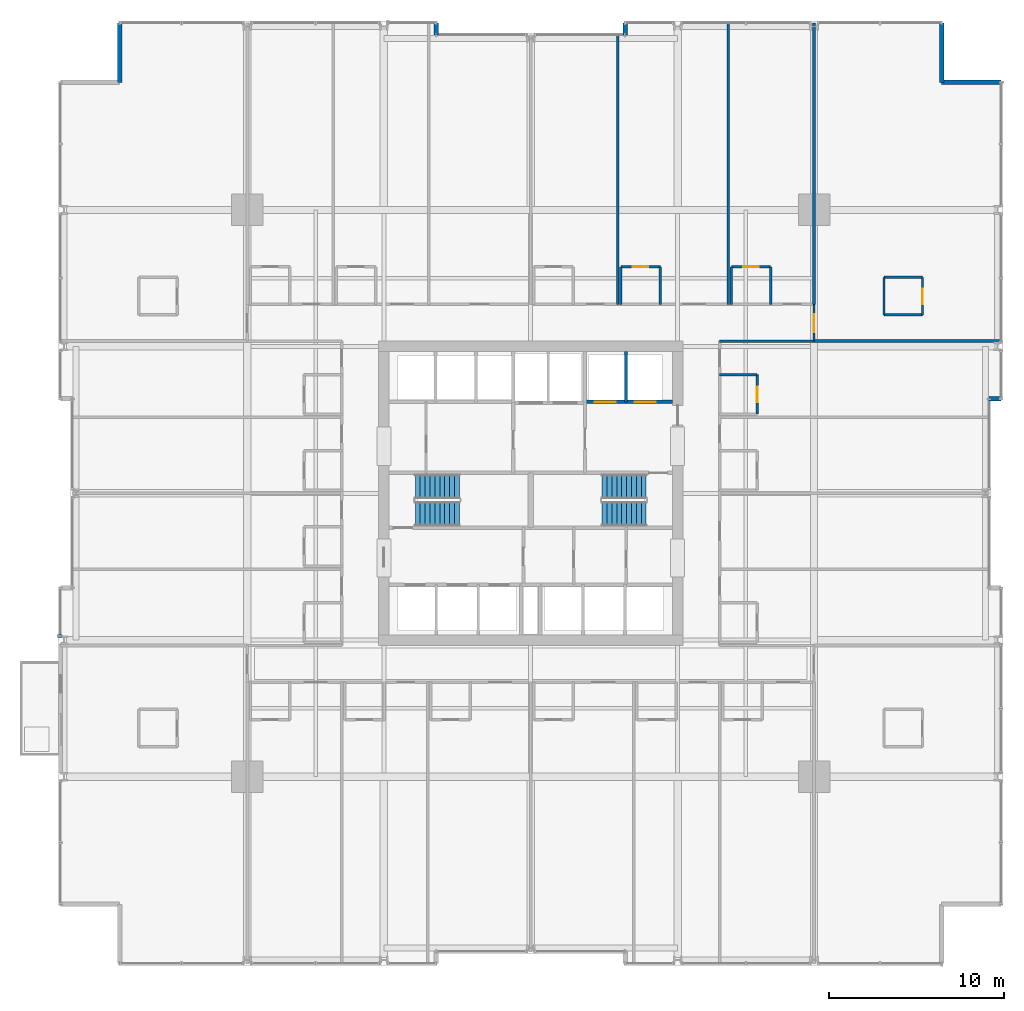
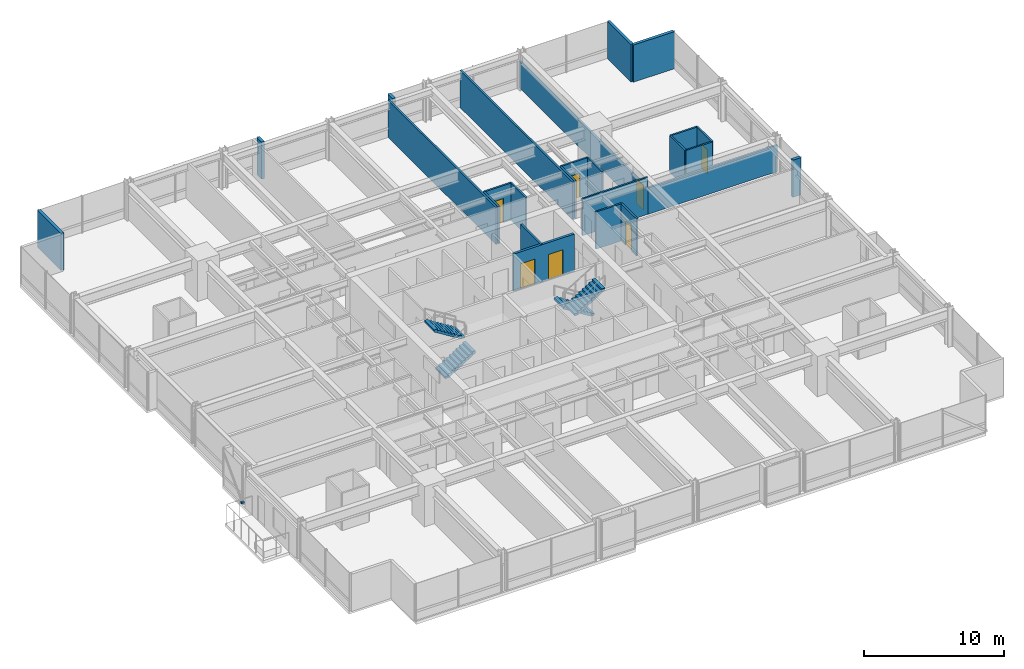
# One storey, part 34 of 39: 26 walls, 7 doors, 4 stair flights, 1 discrete accessory, 7 openings, 2 elements without a shape of their own.
"""IFC4 building model written with IfcOpenShell, lengths in metres."""

from ifc_helpers import new_model, si_unit, direction, frame, frame_2d, origin, origin_2d, place, context, subcontext, project, spatial, polyline, rectangle, outline, extrude, material, layer, layer_set, type_object, element, fill, aggregate, save


model = new_model("IFC4")

# Units and contexts
model_context = context("Model", 3, precision=1e-05, world=origin(), true_north=direction((0.0, 1.0)))
body_context = subcontext(model_context, "Body", "Model", "MODEL_VIEW")
ifc_project = project(units=[si_unit("LENGTHUNIT", "METRE"), si_unit("AREAUNIT", "SQUARE_METRE"), si_unit("VOLUMEUNIT", "CUBIC_METRE"), si_unit("PLANEANGLEUNIT", "RADIAN"), si_unit("MASSUNIT", "GRAM", prefix="KILO")], contexts=[model_context])

# Site, building, storey
site_placement = place(None, origin())
site = spatial("IfcSite", under=ifc_project, at=site_placement, CompositionType="ELEMENT")
building_placement = place(site_placement, origin())
building = spatial("IfcBuilding", under=site, at=building_placement, Name="Drelvath Grand Hotel", CompositionType="ELEMENT")
storey_placement = place(building_placement, frame((0.0, 0.0, 40.199951171875)))
storey = spatial("IfcBuildingStorey", under=building, at=storey_placement, Name="L08", CompositionType="ELEMENT", Elevation=40.199951171875)

# Wall, openings, doors
ifc_material_1 = material(Name="Concrete C40/50", Category="concrete")
ifc_layer_1 = layer(ifc_material_1, 0.199951171875)
ifc_layer_set_1 = layer_set([ifc_layer_1], Name="Concrete C40/50")
wall_type_1 = type_object("IfcWallType", Name="Core Hoistway Fire Wall 200", PredefinedType="SOLIDWALL", material=ifc_layer_set_1)
wall_1_placement = place(storey_placement, frame((3.10009765625, 32.219970703125, 0.0), z_axis=(0.0, 0.0, 1.0), x_axis=(1.0, 0.0, 0.0)))
wall_1 = element("IfcWall", 1, at=wall_1_placement, inside=storey, type_object=wall_type_1, Name="L08 FSAE Hoistway Front Wall", PredefinedType="SOLIDWALL", context=body_context, shape_type="SweptSolid", body=[
    extrude(rectangle(XDim=5.0, YDim=0.199951171875, at=frame_2d((2.5, 0.0))), origin(), (0.0, 0.0, 1.0), 3.239990234375),
])
opening_1_placement = place(wall_1_placement, frame((0.550048828125, 0.0, 0.0)))
opening_1 = element("IfcOpeningElement", 2, at=opening_1_placement, cuts=wall_1, Name="Opening LD-FSAE-1", PredefinedType="OPENING", context=body_context, shape_type="SweptSolid", body=[
    extrude(rectangle(XDim=1.199951171875, YDim=2.199951171875, at=frame_2d((0.60009765625, 1.10009765625))), frame((0.0, 0.10986328125, 0.0), z_axis=(0.0, -1.0, 0.0), x_axis=(1.0, 0.0, 0.0)), (0.0, 0.0, 1.0), 0.219970703125),
])
opening_2_placement = place(wall_1_placement, frame((2.85009765625, 0.0, 0.0)))
opening_2 = element("IfcOpeningElement", 3, at=opening_2_placement, cuts=wall_1, Name="Opening LD-FSAE-2", PredefinedType="OPENING", context=body_context, shape_type="SweptSolid", body=[
    extrude(rectangle(XDim=1.199951171875, YDim=2.199951171875, at=frame_2d((0.60009765625, 1.10009765625))), frame((0.0, 0.10986328125, 0.0), z_axis=(0.0, -1.0, 0.0), x_axis=(1.0, 0.0, 0.0)), (0.0, 0.0, 1.0), 0.219970703125),
])
ifc_material_2 = material(Name="Stainless Steel S355", Category="steel")
door_type_1 = type_object("IfcDoorType", Name="FSAE Lift Sliding Landing Door 1200x2200", OperationType="NOTDEFINED", PredefinedType="DOOR", material=ifc_material_2)
door_1_placement = place(opening_1_placement, origin())
door_1 = element("IfcDoor", 4, at=door_1_placement, inside=storey, type_object=door_type_1, Name="L08 Lift FSAE-1 Landing Door", OperationType="SLIDING_TO_LEFT", OverallHeight=2.199951171875, OverallWidth=1.199951171875, PredefinedType="DOOR", context=body_context, shape_type="SweptSolid", body=[
    extrude(rectangle(XDim=1.199951171875, YDim=2.199951171875, at=frame_2d((0.60009765625, 1.10009765625))), frame((0.0, 0.02490234375, 0.0), z_axis=(0.0, -1.0, 0.0), x_axis=(1.0, 0.0, 0.0)), (0.0, 0.0, 1.0), 0.050048828125),
])
fill(opening_1, door_1)
door_2_placement = place(opening_2_placement, origin())
door_2 = element("IfcDoor", 5, at=door_2_placement, inside=storey, type_object=door_type_1, Name="L08 Lift FSAE-2 Landing Door", OperationType="SLIDING_TO_LEFT", OverallHeight=2.199951171875, OverallWidth=1.199951171875, PredefinedType="DOOR", context=body_context, shape_type="SweptSolid", body=[
    extrude(rectangle(XDim=1.199951171875, YDim=2.199951171875, at=frame_2d((0.60009765625, 1.10009765625))), frame((0.0, 0.02490234375, 0.0), z_axis=(0.0, -1.0, 0.0), x_axis=(1.0, 0.0, 0.0)), (0.0, 0.0, 1.0), 0.050048828125),
])
fill(opening_2, door_2)

# Walls
ifc_material_3 = material(Name="Gypsum Fireboard Partition")
ifc_layer_2 = layer(ifc_material_3, 0.1650390625)
ifc_layer_set_2 = layer_set([ifc_layer_2], Name="Gypsum Fireboard Partition")
wall_type_2 = type_object("IfcWallType", Name="Core Shaft Partition 165", PredefinedType="PARTITIONING", material=ifc_layer_set_2)
wall_2_placement = place(storey_placement, frame((5.449951171875, 32.219970703125, 0.0), z_axis=(0.0, 0.0, 1.0), x_axis=(0.0, 1.0, 0.0)))
element("IfcWall", 6, at=wall_2_placement, inside=storey, type_object=wall_type_2, Name="L08 FSAE Hoistway Divider", PredefinedType="PARTITIONING", context=body_context, shape_type="SweptSolid", body=[
    extrude(rectangle(XDim=2.880126953125, YDim=0.1650390625, at=frame_2d((1.43994140625, 0.0))), origin(), (0.0, 0.0, 1.0), 3.239990234375),
])
ifc_layer_3 = layer(ifc_material_3, 0.135009765625)
ifc_layer_set_3 = layer_set([ifc_layer_3], Name="Gypsum Fireboard Partition")
wall_type_3 = type_object("IfcWallType", Name="Corridor Fire Barrier Wall 135", PredefinedType="PARTITIONING", material=ifc_layer_set_3)
wall_3_placement = place(storey_placement, frame((10.800048828125, 35.699951171875, 0.0), z_axis=(0.0, 0.0, 1.0), x_axis=(1.0, 0.0, 0.0)))
element("IfcWall", 7, at=wall_3_placement, inside=storey, type_object=wall_type_3, Name="L08 NE Spur Inner Wall", PredefinedType="PARTITIONING", context=body_context, shape_type="SweptSolid", body=[
    extrude(rectangle(XDim=5.39990234375, YDim=0.135009765625, at=frame_2d((2.699951171875, 0.0))), origin(), (0.0, 0.0, 1.0), 3.239990234375),
])

# Wall, opening, door
wall_4_placement = place(storey_placement, frame((16.199951171875, 35.699951171875, 0.0), z_axis=(0.0, 0.0, 1.0), x_axis=(0.0, 1.0, 0.0)))
wall_4 = element("IfcWall", 8, at=wall_4_placement, inside=storey, type_object=wall_type_3, Name="L08 North Corridor East End", PredefinedType="PARTITIONING", context=body_context, shape_type="SweptSolid", body=[
    extrude(rectangle(XDim=2.10009765625, YDim=0.135009765625, at=frame_2d((1.050048828125, 0.0))), origin(), (0.0, 0.0, 1.0), 2.29833984375),
])
opening_3_placement = place(wall_4_placement, frame((0.52001953125, 0.0, 0.0)))
opening_3 = element("IfcOpeningElement", 9, at=opening_3_placement, cuts=wall_4, Name="Opening D-T1G1-025", PredefinedType="OPENING", context=body_context, shape_type="SweptSolid", body=[
    extrude(rectangle(XDim=1.02001953125, YDim=2.14990234375, at=frame_2d((0.510009765625, 1.074951171875))), frame((0.0, 0.077392578125, 0.0), z_axis=(0.0, -1.0, 0.0), x_axis=(1.0, 0.0, 0.0)), (0.0, 0.0, 1.0), 0.155029296875),
])
ifc_material_4 = material(Name="Hardwood Walnut Timber", Category="wood")
door_type_2 = type_object("IfcDoorType", Name="Amenity Meeting Fire Door 1020x2150", OperationType="NOTDEFINED", PredefinedType="DOOR", material=ifc_material_4)
door_3_placement = place(opening_3_placement, origin())
door_3 = element("IfcDoor", 10, at=door_3_placement, inside=storey, type_object=door_type_2, Name="L08 Corner Suite Entry Door", OperationType="SINGLE_SWING_RIGHT", OverallHeight=2.14990234375, OverallWidth=1.02001953125, PredefinedType="DOOR", context=body_context, shape_type="SweptSolid", body=[
    extrude(rectangle(XDim=1.02001953125, YDim=2.14990234375, at=frame_2d((0.510009765625, 1.074951171875))), frame((0.0, 0.02490234375, 0.0), z_axis=(0.0, -1.0, 0.0), x_axis=(1.0, 0.0, 0.0)), (0.0, 0.0, 1.0), 0.050048828125),
])
fill(opening_3, door_3)

# Walls
ifc_material_5 = material(Name="Moisture-Resistant Gypsum Board")
ifc_layer_4 = layer(ifc_material_5, 0.139892578125)
ifc_layer_set_4 = layer_set([ifc_layer_4], Name="Moisture-Resistant Gypsum Board")
wall_type_4 = type_object("IfcWallType", Name="En-Suite Plumbing Wall 140", PredefinedType="PLUMBINGWALL", material=ifc_layer_set_4)
for number, where, z_axis, x_axis, name in (
    (11, (20.199951171875, 37.199951171875, 0.0), (0.0, 0.0, 1.0), (1.0, 0.0, 0.0), "L08 Corner En-Suite South"),
    (12, (20.199951171875, 39.35009765625, 0.0), (0.0, 0.0, 1.0), (1.0, 0.0, 0.0), "L08 Corner En-Suite North"),
):
    element("IfcWall", number, at=place(storey_placement, frame(where, z_axis=z_axis, x_axis=x_axis)), inside=storey, type_object=wall_type_4, Name=name, PredefinedType="PLUMBINGWALL", context=body_context, shape_type="SweptSolid", body=[
        extrude(rectangle(XDim=2.199951171875, YDim=0.139892578125, at=frame_2d((1.10009765625, 0.0))), origin(), (0.0, 0.0, 1.0), 3.239990234375),
    ])
wall_5_placement = place(storey_placement, frame((20.199951171875, 37.199951171875, 0.0), z_axis=(0.0, 0.0, 1.0), x_axis=(0.0, 1.0, 0.0)))
element("IfcWall", 13, at=wall_5_placement, inside=storey, type_object=wall_type_4, Name="L08 Corner En-Suite West", PredefinedType="PLUMBINGWALL", context=body_context, shape_type="SweptSolid", body=[
    extrude(rectangle(XDim=2.150146484375, YDim=0.139892578125, at=frame_2d((1.0751953125, 0.0))), origin(), (0.0, 0.0, 1.0), 3.239990234375),
])

# Wall, opening, door
wall_6_placement = place(storey_placement, frame((22.39990234375, 37.199951171875, 0.0), z_axis=(0.0, 0.0, 1.0), x_axis=(0.0, 1.0, 0.0)))
wall_6 = element("IfcWall", 14, at=wall_6_placement, inside=storey, type_object=wall_type_4, Name="L08 Corner En-Suite East", PredefinedType="PLUMBINGWALL", context=body_context, shape_type="SweptSolid", body=[
    extrude(rectangle(XDim=2.150146484375, YDim=0.139892578125, at=frame_2d((1.0751953125, 0.0))), origin(), (0.0, 0.0, 1.0), 3.239990234375),
])
opening_4_placement = place(wall_6_placement, frame((0.6201171875, 0.0, 0.0)))
opening_4 = element("IfcOpeningElement", 15, at=opening_4_placement, cuts=wall_6, Name="Opening D-T1G1-024", PredefinedType="OPENING", context=body_context, shape_type="SweptSolid", body=[
    extrude(rectangle(XDim=0.8798828125, YDim=2.10009765625, at=frame_2d((0.43994140625, 1.050048828125))), frame((0.0, 0.079833984375, 0.0), z_axis=(0.0, -1.0, 0.0), x_axis=(1.0, 0.0, 0.0)), (0.0, 0.0, 1.0), 0.159912109375),
])
door_type_3 = type_object("IfcDoorType", Name="En-Suite Bathroom Door 880x2100", OperationType="NOTDEFINED", PredefinedType="DOOR", material=ifc_material_4)
door_4_placement = place(opening_4_placement, origin())
door_4 = element("IfcDoor", 16, at=door_4_placement, inside=storey, type_object=door_type_3, Name="L08 Corner En-Suite Door", OperationType="SINGLE_SWING_LEFT", OverallHeight=2.10009765625, OverallWidth=0.8798828125, PredefinedType="DOOR", context=body_context, shape_type="SweptSolid", body=[
    extrude(rectangle(XDim=0.8798828125, YDim=2.10009765625, at=frame_2d((0.43994140625, 1.050048828125))), frame((0.0, 0.02490234375, 0.0), z_axis=(0.0, -1.0, 0.0), x_axis=(1.0, 0.0, 0.0)), (0.0, 0.0, 1.0), 0.050048828125),
])
fill(opening_4, door_4)

# Walls
for number, where, z_axis, x_axis, name in (
    (17, (5.159912109375, 37.800048828125, 0.0), (0.0, 0.0, 1.0), (0.0, 1.0, 0.0), "L08 En-Suite Left Wall"),
    (18, (7.409912109375, 37.800048828125, 0.0), (0.0, 0.0, 1.0), (0.0, 1.0, 0.0), "L08 En-Suite Right Wall"),
):
    element("IfcWall", number, at=place(storey_placement, frame(where, z_axis=z_axis, x_axis=x_axis)), inside=storey, type_object=wall_type_4, Name=name, PredefinedType="PLUMBINGWALL", context=body_context, shape_type="SweptSolid", body=[
        extrude(rectangle(XDim=2.14990234375, YDim=0.139892578125, at=frame_2d((1.074951171875, 0.0))), origin(), (0.0, 0.0, 1.0), 3.239990234375),
    ])

# Wall, opening, door
wall_7_placement = place(storey_placement, frame((5.159912109375, 39.949951171875, 0.0), z_axis=(0.0, 0.0, 1.0), x_axis=(1.0, 0.0, 0.0)))
wall_7 = element("IfcWall", 19, at=wall_7_placement, inside=storey, type_object=wall_type_4, Name="L08 En-Suite Front Wall", PredefinedType="PLUMBINGWALL", context=body_context, shape_type="SweptSolid", body=[
    extrude(rectangle(XDim=2.25, YDim=0.139892578125, at=frame_2d((1.125, 0.0))), origin(), (0.0, 0.0, 1.0), 3.239990234375),
])
opening_5_placement = place(wall_7_placement, frame((0.68505859375, 0.0, 0.0)))
opening_5 = element("IfcOpeningElement", 20, at=opening_5_placement, cuts=wall_7, Name="Opening D-T1G1-045", PredefinedType="OPENING", context=body_context, shape_type="SweptSolid", body=[
    extrude(rectangle(XDim=0.8798828125, YDim=2.10009765625, at=frame_2d((0.43994140625, 1.050048828125))), frame((0.0, 0.079833984375, 0.0), z_axis=(0.0, -1.0, 0.0), x_axis=(1.0, 0.0, 0.0)), (0.0, 0.0, 1.0), 0.159912109375),
])
door_5_placement = place(opening_5_placement, origin())
door_5 = element("IfcDoor", 21, at=door_5_placement, inside=storey, type_object=door_type_3, Name="L08 En-Suite Bathroom Door", OperationType="SINGLE_SWING_RIGHT", OverallHeight=2.10009765625, OverallWidth=0.8798828125, PredefinedType="DOOR", context=body_context, shape_type="SweptSolid", body=[
    extrude(rectangle(XDim=0.8798828125, YDim=2.10009765625, at=frame_2d((0.43994140625, 1.050048828125))), frame((0.0, 0.02490234375, 0.0), z_axis=(0.0, -1.0, 0.0), x_axis=(1.0, 0.0, 0.0)), (0.0, 0.0, 1.0), 0.050048828125),
])
fill(opening_5, door_5)

# Walls
for number, where, z_axis, x_axis, name in (
    (22, (11.470947265625, 37.800048828125, 0.0), (0.0, 0.0, 1.0), (0.0, 1.0, 0.0), "L08 En-Suite Left Wall"),
    (23, (13.720947265625, 37.800048828125, 0.0), (0.0, 0.0, 1.0), (0.0, 1.0, 0.0), "L08 En-Suite Right Wall"),
):
    element("IfcWall", number, at=place(storey_placement, frame(where, z_axis=z_axis, x_axis=x_axis)), inside=storey, type_object=wall_type_4, Name=name, PredefinedType="PLUMBINGWALL", context=body_context, shape_type="SweptSolid", body=[
        extrude(rectangle(XDim=2.14990234375, YDim=0.139892578125, at=frame_2d((1.074951171875, 0.0))), origin(), (0.0, 0.0, 1.0), 3.239990234375),
    ])

# Wall, opening, door
wall_8_placement = place(storey_placement, frame((11.470947265625, 39.949951171875, 0.0), z_axis=(0.0, 0.0, 1.0), x_axis=(1.0, 0.0, 0.0)))
wall_8 = element("IfcWall", 24, at=wall_8_placement, inside=storey, type_object=wall_type_4, Name="L08 En-Suite Front Wall", PredefinedType="PLUMBINGWALL", context=body_context, shape_type="SweptSolid", body=[
    extrude(rectangle(XDim=2.25, YDim=0.139892578125, at=frame_2d((1.125, 0.0))), origin(), (0.0, 0.0, 1.0), 3.239990234375),
])
opening_6_placement = place(wall_8_placement, frame((0.68505859375, 0.0, 0.0)))
opening_6 = element("IfcOpeningElement", 25, at=opening_6_placement, cuts=wall_8, Name="Opening D-T1G1-047", PredefinedType="OPENING", context=body_context, shape_type="SweptSolid", body=[
    extrude(rectangle(XDim=0.8798828125, YDim=2.10009765625, at=frame_2d((0.43994140625, 1.050048828125))), frame((0.0, 0.079833984375, 0.0), z_axis=(0.0, -1.0, 0.0), x_axis=(1.0, 0.0, 0.0)), (0.0, 0.0, 1.0), 0.159912109375),
])
door_6_placement = place(opening_6_placement, origin())
door_6 = element("IfcDoor", 26, at=door_6_placement, inside=storey, type_object=door_type_3, Name="L08 En-Suite Bathroom Door", OperationType="SINGLE_SWING_RIGHT", OverallHeight=2.10009765625, OverallWidth=0.8798828125, PredefinedType="DOOR", context=body_context, shape_type="SweptSolid", body=[
    extrude(rectangle(XDim=0.8798828125, YDim=2.10009765625, at=frame_2d((0.43994140625, 1.050048828125))), frame((0.0, 0.02490234375, 0.0), z_axis=(0.0, -1.0, 0.0), x_axis=(1.0, 0.0, 0.0)), (0.0, 0.0, 1.0), 0.050048828125),
])
fill(opening_6, door_6)

# Wall
wall_9_placement = place(storey_placement, frame((10.800048828125, 33.780029296875, 0.0), z_axis=(0.0, 0.0, 1.0), x_axis=(1.0, 0.0, 0.0)))
element("IfcWall", 27, at=wall_9_placement, inside=storey, type_object=wall_type_4, Name="L08 En-Suite Right Wall", PredefinedType="PLUMBINGWALL", context=body_context, shape_type="SweptSolid", body=[
    extrude(rectangle(XDim=2.14990234375, YDim=0.139892578125, at=frame_2d((1.074951171875, 0.0))), origin(), (0.0, 0.0, 1.0), 3.239990234375),
])

# Wall, opening, door
wall_10_placement = place(storey_placement, frame((12.949951171875, 31.530029296875, 0.0), z_axis=(0.0, 0.0, 1.0), x_axis=(0.0, 1.0, 0.0)))
wall_10 = element("IfcWall", 28, at=wall_10_placement, inside=storey, type_object=wall_type_4, Name="L08 En-Suite Front Wall", PredefinedType="PLUMBINGWALL", context=body_context, shape_type="SweptSolid", body=[
    extrude(rectangle(XDim=2.25, YDim=0.139892578125, at=frame_2d((1.125, 0.0))), origin(), (0.0, 0.0, 1.0), 3.239990234375),
])
opening_7_placement = place(wall_10_placement, frame((0.68505859375, 0.0, 0.0)))
opening_7 = element("IfcOpeningElement", 29, at=opening_7_placement, cuts=wall_10, Name="Opening D-T1G1-062", PredefinedType="OPENING", context=body_context, shape_type="SweptSolid", body=[
    extrude(rectangle(XDim=0.8798828125, YDim=2.10009765625, at=frame_2d((0.43994140625, 1.050048828125))), frame((0.0, 0.079833984375, 0.0), z_axis=(0.0, -1.0, 0.0), x_axis=(1.0, 0.0, 0.0)), (0.0, 0.0, 1.0), 0.159912109375),
])
door_7_placement = place(opening_7_placement, origin())
door_7 = element("IfcDoor", 30, at=door_7_placement, inside=storey, type_object=door_type_3, Name="L08 En-Suite Bathroom Door", OperationType="SINGLE_SWING_LEFT", OverallHeight=2.10009765625, OverallWidth=0.8798828125, PredefinedType="DOOR", context=body_context, shape_type="SweptSolid", body=[
    extrude(rectangle(XDim=0.8798828125, YDim=2.10009765625, at=frame_2d((0.43994140625, 1.050048828125))), frame((0.0, 0.02490234375, 0.0), z_axis=(0.0, -1.0, 0.0), x_axis=(1.0, 0.0, 0.0)), (0.0, 0.0, 1.0), 0.050048828125),
])
fill(opening_7, door_7)

# Walls
ifc_material_6 = material(Name="Gypsum Acoustic Partition")
ifc_layer_5 = layer(ifc_material_6, 0.14990234375)
ifc_layer_set_5 = layer_set([ifc_layer_5], Name="Gypsum Acoustic Partition")
wall_type_5 = type_object("IfcWallType", Name="Guestroom Demising Wall 150", PredefinedType="PARTITIONING", material=ifc_layer_set_5)
wall_11_placement = place(storey_placement, frame((4.97998046875, 37.800048828125, 0.0), z_axis=(0.0, 0.0, 1.0), x_axis=(0.0, 1.0, 0.0)))
element("IfcWall", 31, at=wall_11_placement, inside=storey, type_object=wall_type_5, Name="L08 North Demising 4", PredefinedType="PARTITIONING", context=body_context, shape_type="SweptSolid", body=[
    extrude(rectangle(XDim=15.39990234375, YDim=0.14990234375, at=frame_2d((7.699951171875, 0.0))), origin(), (0.0, 0.0, 1.0), 3.239990234375),
])
wall_12_placement = place(storey_placement, frame((11.291015625, 37.800048828125, 0.0), z_axis=(0.0, 0.0, 1.0), x_axis=(0.0, 1.0, 0.0)))
element("IfcWall", 32, at=wall_12_placement, inside=storey, type_object=wall_type_5, Name="L08 North Demising 5", PredefinedType="PARTITIONING", context=body_context, shape_type="SweptSolid", body=[
    extrude(rectangle(XDim=16.079833984375, YDim=0.14990234375, at=frame_2d((8.0400390625, 0.0))), origin(), (0.0, 0.0, 1.0), 3.239990234375),
])
ifc_layer_6 = layer(ifc_material_6, 0.1650390625)
ifc_layer_set_6 = layer_set([ifc_layer_6], Name="Gypsum Acoustic Partition")
wall_type_6 = type_object("IfcWallType", Name="Suite Demising Wall 165", PredefinedType="PARTITIONING", material=ifc_layer_set_6)
wall_13_placement = place(storey_placement, frame((16.199951171875, 37.800048828125, 0.0), z_axis=(0.0, 0.0, 1.0), x_axis=(0.0, 1.0, 0.0)))
element("IfcWall", 33, at=wall_13_placement, inside=storey, type_object=wall_type_6, Name="L08 NE Wing Boundary Wall", PredefinedType="PARTITIONING", context=body_context, shape_type="SweptSolid", body=[
    extrude(rectangle(XDim=16.079833984375, YDim=0.1650390625, at=frame_2d((8.0400390625, 0.0))), origin(), (0.0, 0.0, 1.0), 2.29833984375),
])
wall_14_placement = place(storey_placement, frame((16.199951171875, 35.699951171875, 0.0), z_axis=(0.0, 0.0, 1.0), x_axis=(1.0, 0.0, 0.0)))
element("IfcWall", 34, at=wall_14_placement, inside=storey, type_object=wall_type_6, Name="L08 NE Corner South Wall", PredefinedType="PARTITIONING", context=body_context, shape_type="SweptSolid", body=[
    extrude(rectangle(XDim=10.679931640625, YDim=0.1650390625, at=frame_2d((5.33984375, 0.0))), origin(), (0.0, 0.0, 1.0), 2.29833984375),
])
ifc_material_7 = material(Name="Pale-Metal Insulated Aluminium Spandrel Assembly", Category="aluminium")
ifc_layer_7 = layer(ifc_material_7, 0.239990234375)
ifc_layer_set_7 = layer_set([ifc_layer_7], Name="Pale-Metal Insulated Aluminium Spandrel Assembly")
wall_type_7 = type_object("IfcWallType", Name="Tower Insulated Metal Spandrel Closure Wall 240", PredefinedType="STANDARD", material=ifc_layer_set_7)
for number, where, z_axis, x_axis, name in (
    (35, (-23.5, 50.5, 0.0), (0.0, 0.0, 1.0), (0.0, 1.0, 0.0), "L08 Notched Corner Return Spandrel Wall CNW2"),
    (36, (23.5, 53.8798828125, 0.0), (0.0, 0.0, 1.0), (0.0, -1.0, 0.0), "L08 Notched Corner Return Spandrel Wall CNE1"),
    (37, (23.5, 50.5, 0.0), (0.0, 0.0, 1.0), (1.0, 0.0, 0.0), "L08 Notched Corner Return Spandrel Wall CNE2"),
):
    element("IfcWall", number, at=place(storey_placement, frame(where, z_axis=z_axis, x_axis=x_axis)), inside=storey, type_object=wall_type_7, Name=name, PredefinedType="STANDARD", context=body_context, shape_type="SweptSolid", body=[
        extrude(rectangle(XDim=3.3798828125, YDim=0.239990234375, at=frame_2d((1.68994140625, 0.0))), origin(), (0.0, 0.0, 1.0), 3.239990234375),
    ])
for number, where, z_axis, x_axis, name in (
    (38, (26.8798828125, 32.39990234375, 0.0), (0.0, 0.0, 1.0), (-1.0, 0.0, 0.0), "L08 Notched Corner Return Spandrel Wall RE1"),
    (39, (-5.39990234375, 53.8798828125, 0.0), (0.0, 0.0, 1.0), (0.0, -1.0, 0.0), "L08 Notched Corner Return Spandrel Wall RN1"),
    (40, (5.39990234375, 53.199951171875, 0.0), (0.0, 0.0, 1.0), (0.0, 1.0, 0.0), "L08 Notched Corner Return Spandrel Wall RN2"),
):
    element("IfcWall", number, at=place(storey_placement, frame(where, z_axis=z_axis, x_axis=x_axis)), inside=storey, type_object=wall_type_7, Name=name, PredefinedType="STANDARD", context=body_context, shape_type="SweptSolid", body=[
        extrude(rectangle(XDim=0.679931640625, YDim=0.239990234375, at=frame_2d((0.33984375, 0.0))), origin(), (0.0, 0.0, 1.0), 3.239990234375),
    ])

# Stair, stair flights
stair_type = type_object("IfcStairType", Name="Dogleg Exit Stair W1400-R175.0", PredefinedType="HALF_TURN_STAIR", material=ifc_material_1)
stair_1_placement = place(storey_placement, origin())
stair_1 = element("IfcStair", 41, at=stair_1_placement, inside=storey, type_object=stair_type, Name="L08 Core Exit Stair ST-1", PredefinedType="HALF_TURN_STAIR")
stair_flight_type = type_object("IfcStairFlightType", Name="Concrete Stair Flight W1400-R175.0", PredefinedType="STRAIGHT", material=ifc_material_1)
stair_flight_1_placement = place(storey_placement, frame((-6.60009765625, 25.820068359375, 0.0), z_axis=(0.0, 0.0, 1.0), x_axis=(1.0, 0.0, 0.0)))
stair_flight_1 = element("IfcStairFlight", 42, at=stair_flight_1_placement, type_object=stair_flight_type, Name="ST-1 flight 1", NumberOfRisers=10, NumberOfTreads=9, PredefinedType="STRAIGHT", RiserHeight=0.175, TreadLength=0.28, context=body_context, shape_type="SweptSolid", body=[
    extrude(outline(polyline([(0.0, 0.0), (0.0, 0.175048828125), (0.280029296875, 0.175048828125), (0.280029296875, 0.35009765625), (0.56005859375, 0.35009765625), (0.56005859375, 0.52490234375), (0.840087890625, 0.52490234375), (0.840087890625, 0.699951171875), (1.1201171875, 0.699951171875), (1.1201171875, 0.875), (1.39990234375, 0.875), (1.39990234375, 1.050048828125), (1.679931640625, 1.050048828125), (1.679931640625, 1.22509765625), (1.9599609375, 1.22509765625), (1.9599609375, 1.39990234375), (2.239990234375, 1.39990234375), (2.239990234375, 1.574951171875), (2.52001953125, 1.574951171875), (2.52001953125, 1.75), (2.52001953125, 1.386474609375), (0.3017578125, 0.0), (0.0, 0.0)])), frame((0.0, 0.699951171875, 0.0), z_axis=(0.0, -1.0, 0.0), x_axis=(1.0, 0.0, 0.0)), (0.0, 0.0, 1.0), 1.39990234375),
])
stair_flight_2_placement = place(storey_placement, frame((-4.080078125, 27.3798828125, 1.75), z_axis=(0.0, 0.0, 1.0), x_axis=(-1.0, 0.0, 0.0)))
stair_flight_2 = element("IfcStairFlight", 43, at=stair_flight_2_placement, type_object=stair_flight_type, Name="ST-1 flight 2", NumberOfRisers=10, NumberOfTreads=9, PredefinedType="STRAIGHT", RiserHeight=0.175, TreadLength=0.28, context=body_context, shape_type="SweptSolid", body=[
    extrude(outline(polyline([(0.0, 0.0), (0.0, 0.175048828125), (0.280029296875, 0.175048828125), (0.280029296875, 0.35009765625), (0.56005859375, 0.35009765625), (0.56005859375, 0.52490234375), (0.840087890625, 0.52490234375), (0.840087890625, 0.699951171875), (1.1201171875, 0.699951171875), (1.1201171875, 0.875), (1.39990234375, 0.875), (1.39990234375, 1.050048828125), (1.679931640625, 1.050048828125), (1.679931640625, 1.22509765625), (1.9599609375, 1.22509765625), (1.9599609375, 1.39990234375), (2.239990234375, 1.39990234375), (2.239990234375, 1.574951171875), (2.52001953125, 1.574951171875), (2.52001953125, 1.75), (2.52001953125, 1.386474609375), (0.3017578125, 0.0), (0.0, 0.0)])), frame((0.0, 0.699951171875, 0.0), z_axis=(0.0, -1.0, 0.0), x_axis=(1.0, 0.0, 0.0)), (0.0, 0.0, 1.0), 1.39990234375),
])
aggregate(stair_1, [stair_flight_1, stair_flight_2])

stair_2_placement = place(storey_placement, origin())
stair_2 = element("IfcStair", 44, at=stair_2_placement, inside=storey, type_object=stair_type, Name="L08 Core Exit Stair ST-2", PredefinedType="HALF_TURN_STAIR")
stair_flight_3_placement = place(storey_placement, frame((6.60009765625, 27.3798828125, 0.0), z_axis=(0.0, 0.0, 1.0), x_axis=(-1.0, 0.0, 0.0)))
stair_flight_3 = element("IfcStairFlight", 45, at=stair_flight_3_placement, type_object=stair_flight_type, Name="ST-2 flight 1", NumberOfRisers=10, NumberOfTreads=9, PredefinedType="STRAIGHT", RiserHeight=0.175, TreadLength=0.28, context=body_context, shape_type="SweptSolid", body=[
    extrude(outline(polyline([(0.0, 0.0), (0.0, 0.175048828125), (0.280029296875, 0.175048828125), (0.280029296875, 0.35009765625), (0.56005859375, 0.35009765625), (0.56005859375, 0.52490234375), (0.840087890625, 0.52490234375), (0.840087890625, 0.699951171875), (1.1201171875, 0.699951171875), (1.1201171875, 0.875), (1.39990234375, 0.875), (1.39990234375, 1.050048828125), (1.679931640625, 1.050048828125), (1.679931640625, 1.22509765625), (1.9599609375, 1.22509765625), (1.9599609375, 1.39990234375), (2.239990234375, 1.39990234375), (2.239990234375, 1.574951171875), (2.52001953125, 1.574951171875), (2.52001953125, 1.75), (2.52001953125, 1.386474609375), (0.3017578125, 0.0), (0.0, 0.0)])), frame((0.0, 0.699951171875, 0.0), z_axis=(0.0, -1.0, 0.0), x_axis=(1.0, 0.0, 0.0)), (0.0, 0.0, 1.0), 1.39990234375),
])
stair_flight_4_placement = place(storey_placement, frame((4.080078125, 25.820068359375, 1.75), z_axis=(0.0, 0.0, 1.0), x_axis=(1.0, 0.0, 0.0)))
stair_flight_4 = element("IfcStairFlight", 46, at=stair_flight_4_placement, type_object=stair_flight_type, Name="ST-2 flight 2", NumberOfRisers=10, NumberOfTreads=9, PredefinedType="STRAIGHT", RiserHeight=0.175, TreadLength=0.28, context=body_context, shape_type="SweptSolid", body=[
    extrude(outline(polyline([(0.0, 0.0), (0.0, 0.175048828125), (0.280029296875, 0.175048828125), (0.280029296875, 0.35009765625), (0.56005859375, 0.35009765625), (0.56005859375, 0.52490234375), (0.840087890625, 0.52490234375), (0.840087890625, 0.699951171875), (1.1201171875, 0.699951171875), (1.1201171875, 0.875), (1.39990234375, 0.875), (1.39990234375, 1.050048828125), (1.679931640625, 1.050048828125), (1.679931640625, 1.22509765625), (1.9599609375, 1.22509765625), (1.9599609375, 1.39990234375), (2.239990234375, 1.39990234375), (2.239990234375, 1.574951171875), (2.52001953125, 1.574951171875), (2.52001953125, 1.75), (2.52001953125, 1.386474609375), (0.3017578125, 0.0), (0.0, 0.0)])), frame((0.0, 0.699951171875, 0.0), z_axis=(0.0, -1.0, 0.0), x_axis=(1.0, 0.0, 0.0)), (0.0, 0.0, 1.0), 1.39990234375),
])
aggregate(stair_2, [stair_flight_3, stair_flight_4])

# Discrete accessory
ifc_material_8 = material(Name="Stainless Steel Grade 316", Category="steel")
discrete_accessory_type = type_object("IfcDiscreteAccessoryType", Name="Curtain Wall Fin Mounting Bracket Cleat", PredefinedType="BRACKET", material=ifc_material_8)
discrete_accessory_placement = place(storey_placement, frame((-26.93994140625, 18.8408203125, 0.10009765625), z_axis=(0.0, 0.0, 1.0), x_axis=(0.0, 1.0, 0.0)))
element("IfcDiscreteAccessory", 47, at=discrete_accessory_placement, inside=storey, type_object=discrete_accessory_type, Name="L08 Fin Mounting Bracket CW02-L08-WS3-1", PredefinedType="BRACKET", context=body_context, shape_type="SweptSolid", body=[
    extrude(rectangle(XDim=0.159912109375, YDim=0.239990234375, at=origin_2d()), origin(), (0.0, 0.0, 1.0), 0.159912109375),
])

save(model, "model.ifc")
